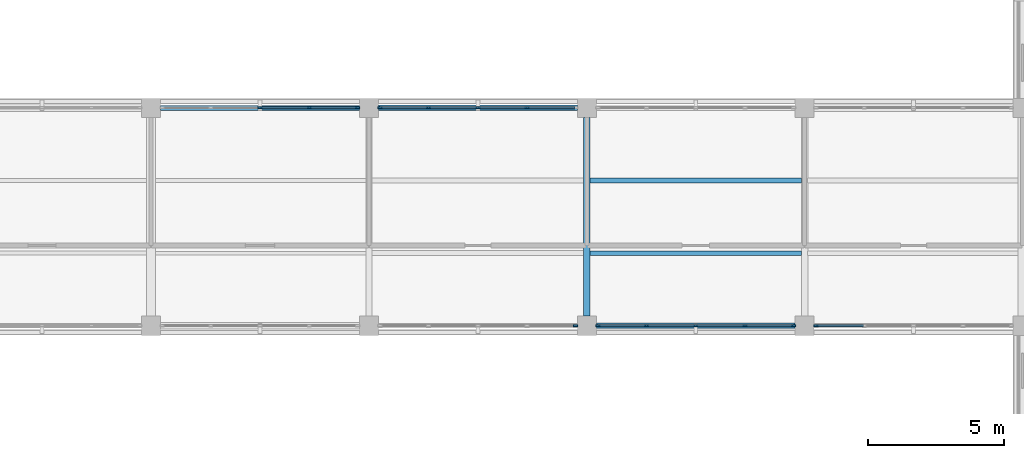
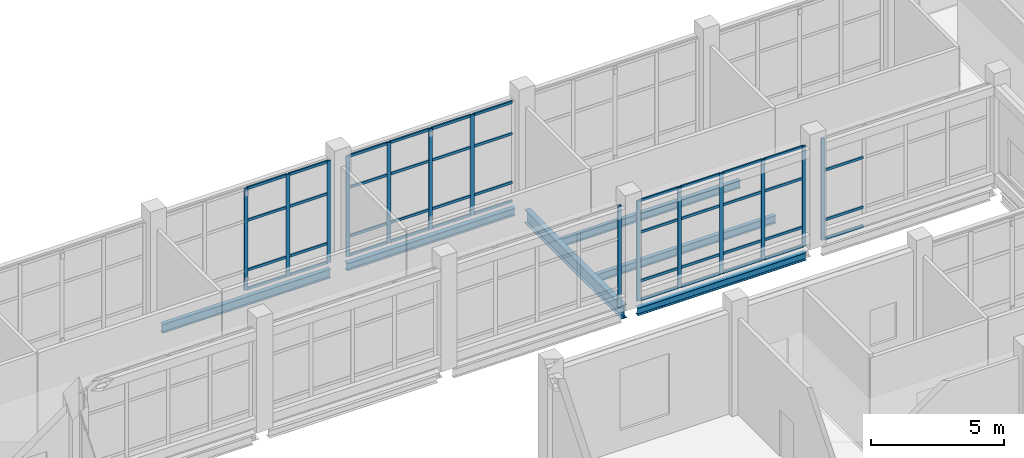
# One storey, part 38 of 105: 57 members, 6 beams, 5 elements without a shape of their own.
"""IFC4 building model written with IfcOpenShell, lengths in metres."""

from ifc_helpers import new_model, si_unit, derived_unit, direction, frame, origin, origin_2d, place, context, subcontext, project, spatial, rectangle, i_section, extrude, material, layer, layer_set, material_profile, profile_set, type_object, element, aggregate, save


model = new_model("IFC4")

# Units and contexts
model_context = context("Model", 3, precision=1e-05, world=origin(), true_north=direction((0.0, 1.0)))
body_context = subcontext(model_context, "Body", "Model", "MODEL_VIEW")
ifc_project = project(units=[si_unit("LENGTHUNIT", "METRE"), si_unit("AREAUNIT", "SQUARE_METRE"), si_unit("VOLUMEUNIT", "CUBIC_METRE"), si_unit("PLANEANGLEUNIT", "RADIAN"), si_unit("MASSUNIT", "GRAM", prefix="KILO"), derived_unit("THERMALTRANSMITTANCEUNIT", [(si_unit("MASSUNIT", "GRAM", prefix="KILO"), 1), (si_unit("TIMEUNIT", "SECOND"), -3), (si_unit("THERMODYNAMICTEMPERATUREUNIT", "KELVIN"), -1)])], contexts=[model_context])

# Site, building, storey
site_placement = place(None, origin())
site = spatial("IfcSite", under=ifc_project, at=site_placement, CompositionType="ELEMENT")
building_placement = place(site_placement, origin())
building = spatial("IfcBuilding", under=site, at=building_placement, Name="Veyamyaing Civic Hall", CompositionType="ELEMENT")
storey_placement = place(building_placement, origin())
storey = spatial("IfcBuildingStorey", under=building, at=storey_placement, Name="L00", CompositionType="ELEMENT", Elevation=0.0)

# Beams
ifc_material_1 = material(Name="Steel ASTM A992", Category="steel")
ifc_material_profile_1 = material_profile(ifc_material_1, i_section(OverallWidth=0.22998046875, OverallDepth=0.616943359375, WebThickness=0.01318359375, FlangeThickness=0.022216796875, FilletRadius=0.012939453125, at=origin_2d()), Name="W610X140")
ifc_profile_set_1 = profile_set([ifc_material_profile_1], Name="Steel ASTM A992")
beam_type_1 = type_object("IfcBeamType", Name="B-05", PredefinedType="BEAM", material=ifc_profile_set_1)
beam_1_placement = place(storey_placement, frame((144.0, 48.35009765625, -0.573486328125), z_axis=(0.0, 1.0, 0.0), x_axis=(-1.0, 0.0, 0.0)))
element("IfcBeam", 1, at=beam_1_placement, inside=storey, type_object=beam_type_1, Name="Girder B-05 L00 Grid 19 G-H", PredefinedType="BEAM", context=body_context, shape_type="SweptSolid", body=[
    extrude(i_section(OverallWidth=0.22998046875, OverallDepth=0.616943359375, WebThickness=0.01318359375, FlangeThickness=0.022216796875, FilletRadius=0.012939453125, at=origin_2d()), origin(), (0.0, 0.0, 1.0), 7.2998046875),
])
ifc_material_profile_2 = material_profile(ifc_material_1, i_section(OverallWidth=0.179931640625, OverallDepth=0.4130859375, WebThickness=0.009765625, FlangeThickness=0.01611328125, FilletRadius=0.010009765625, at=origin_2d()), Name="W410X74")
ifc_profile_set_2 = profile_set([ifc_material_profile_2], Name="Steel ASTM A992")
beam_type_2 = type_object("IfcBeamType", Name="B-10", PredefinedType="SPANDREL", material=ifc_profile_set_2)
beam_2_placement = place(storey_placement, frame((128.35009765625, 56.0, -0.471435546875), z_axis=(1.0, 0.0, 0.0), x_axis=(0.0, 1.0, 0.0)))
element("IfcBeam", 2, at=beam_2_placement, inside=storey, type_object=beam_type_2, Name="Girder B-10 L00 Grid H 17-18", PredefinedType="SPANDREL", context=body_context, shape_type="SweptSolid", body=[
    extrude(i_section(OverallWidth=0.179931640625, OverallDepth=0.4130859375, WebThickness=0.009765625, FlangeThickness=0.01611328125, FilletRadius=0.010009765625, at=origin_2d()), origin(), (0.0, 0.0, 1.0), 7.2998046875),
])
ifc_material_profile_3 = material_profile(ifc_material_1, i_section(OverallWidth=0.2041015625, OverallDepth=0.35009765625, WebThickness=0.0078125, FlangeThickness=0.01513671875, FilletRadius=0.010009765625, at=origin_2d()), Name="W360X72")
ifc_profile_set_3 = profile_set([ifc_material_profile_3], Name="Steel ASTM A992")
beam_type_3 = type_object("IfcBeamType", Name="B-11", PredefinedType="SPANDREL", material=ifc_profile_set_3)
for number, where, z_axis, x_axis, name in (
    (3, (144.35009765625, 48.0, -0.43994140625), (1.0, 0.0, 0.0), (0.0, 1.0, 0.0), "Girder B-11 L00 Grid G 19-20"),
    (4, (136.35009765625, 56.0, -0.43994140625), (1.0, 0.0, 0.0), (0.0, 1.0, 0.0), "Girder B-11 L00 Grid H 18-19"),
):
    element("IfcBeam", number, at=place(storey_placement, frame(where, z_axis=z_axis, x_axis=x_axis)), inside=storey, type_object=beam_type_3, Name=name, PredefinedType="SPANDREL", context=body_context, shape_type="SweptSolid", body=[
        extrude(i_section(OverallWidth=0.2041015625, OverallDepth=0.35009765625, WebThickness=0.0078125, FlangeThickness=0.01513671875, FilletRadius=0.010009765625, at=origin_2d()), origin(), (0.0, 0.0, 1.0), 7.2998046875),
    ])

# Curtain wall, members
ifc_material_2 = material(Name="Anodised aluminium 6063-T6", Category="aluminium")
ifc_layer = layer(ifc_material_2, 0.159912109375, Name="Anodised aluminium 6063-T6")
ifc_layer_set = layer_set([ifc_layer], Name="Anodised aluminium 6063-T6")
curtain_wall_type = type_object("IfcCurtainWallType", Name="CW-01", PredefinedType="NOTDEFINED", material=ifc_layer_set)
curtain_wall_1_placement = place(storey_placement, origin())
curtain_wall_1 = element("IfcCurtainWall", 5, at=curtain_wall_1_placement, inside=storey, type_object=curtain_wall_type, Name="Unitized curtain wall CW-01 L00 N 17.7", PredefinedType="NOTDEFINED")
ifc_material_profile_4 = material_profile(ifc_material_2, rectangle(XDim=0.06494140625, YDim=0.159912109375, at=origin_2d()), Name="ALU-MUL-65X160")
ifc_profile_set_4 = profile_set([ifc_material_profile_4], Name="Anodised aluminium 6063-T6")
member_type_1 = type_object("IfcMemberType", Name="CWM-01", PredefinedType="MULLION", material=ifc_profile_set_4)
member_1_placement = place(storey_placement, frame((132.0, 56.0, 0.0), z_axis=(0.0, 0.0, 1.0), x_axis=(0.0, 1.0, 0.0)))
member_1 = element("IfcMember", 6, at=member_1_placement, type_object=member_type_1, Name="CW-01 mullion 3", PredefinedType="MULLION", context=body_context, shape_type="SweptSolid", body=[
    extrude(rectangle(XDim=0.06494140625, YDim=0.159912109375, at=origin_2d()), origin(), (0.0, 0.0, 1.0), 4.677001953125),
])
member_2_placement = place(storey_placement, frame((133.81005859375, 56.0, 0.0), z_axis=(0.0, 0.0, 1.0), x_axis=(0.0, 1.0, 0.0)))
member_2 = element("IfcMember", 7, at=member_2_placement, type_object=member_type_1, Name="CW-01 mullion 4", PredefinedType="MULLION", context=body_context, shape_type="SweptSolid", body=[
    extrude(rectangle(XDim=0.06494140625, YDim=0.159912109375, at=origin_2d()), origin(), (0.0, 0.0, 1.0), 4.677001953125),
])
member_3_placement = place(storey_placement, frame((135.58740234375, 56.0, 0.0), z_axis=(0.0, 0.0, 1.0), x_axis=(0.0, 1.0, 0.0)))
member_3 = element("IfcMember", 8, at=member_3_placement, type_object=member_type_1, Name="CW-01 mullion 5", PredefinedType="MULLION", context=body_context, shape_type="SweptSolid", body=[
    extrude(rectangle(XDim=0.06494140625, YDim=0.159912109375, at=origin_2d()), origin(), (0.0, 0.0, 1.0), 4.677001953125),
])

# Curtain wall, member
curtain_wall_2_placement = place(storey_placement, origin())
curtain_wall_2 = element("IfcCurtainWall", 9, at=curtain_wall_2_placement, inside=storey, type_object=curtain_wall_type, Name="Unitized curtain wall CW-01 L00 S 18.7", PredefinedType="NOTDEFINED")
member_4_placement = place(storey_placement, frame((143.58740234375, 48.0, 0.0), z_axis=(0.0, 0.0, 1.0), x_axis=(0.0, 1.0, 0.0)))
member_4 = element("IfcMember", 10, at=member_4_placement, type_object=member_type_1, Name="CW-01 mullion 5", PredefinedType="MULLION", context=body_context, shape_type="SweptSolid", body=[
    extrude(rectangle(XDim=0.06494140625, YDim=0.159912109375, at=origin_2d()), origin(), (0.0, 0.0, 1.0), 4.677001953125),
])
aggregate(curtain_wall_2, [member_4])

# Curtain wall, members
curtain_wall_3_placement = place(storey_placement, origin())
curtain_wall_3 = element("IfcCurtainWall", 11, at=curtain_wall_3_placement, inside=storey, type_object=curtain_wall_type, Name="Unitized curtain wall CW-01 L00 N 18.7", PredefinedType="NOTDEFINED")
member_5_placement = place(storey_placement, frame((136.41259765625, 56.0, 0.0), z_axis=(0.0, 0.0, 1.0), x_axis=(0.0, 1.0, 0.0)))
member_5 = element("IfcMember", 12, at=member_5_placement, type_object=member_type_1, Name="CW-01 mullion 1", PredefinedType="MULLION", context=body_context, shape_type="SweptSolid", body=[
    extrude(rectangle(XDim=0.06494140625, YDim=0.159912109375, at=origin_2d()), origin(), (0.0, 0.0, 1.0), 4.610107421875),
])
member_6_placement = place(storey_placement, frame((138.18994140625, 56.0, 0.0), z_axis=(0.0, 0.0, 1.0), x_axis=(0.0, 1.0, 0.0)))
member_6 = element("IfcMember", 13, at=member_6_placement, type_object=member_type_1, Name="CW-01 mullion 2", PredefinedType="MULLION", context=body_context, shape_type="SweptSolid", body=[
    extrude(rectangle(XDim=0.06494140625, YDim=0.159912109375, at=origin_2d()), origin(), (0.0, 0.0, 1.0), 4.610107421875),
])
member_7_placement = place(storey_placement, frame((140.0, 56.0, 0.0), z_axis=(0.0, 0.0, 1.0), x_axis=(0.0, 1.0, 0.0)))
member_7 = element("IfcMember", 14, at=member_7_placement, type_object=member_type_1, Name="CW-01 mullion 3", PredefinedType="MULLION", context=body_context, shape_type="SweptSolid", body=[
    extrude(rectangle(XDim=0.06494140625, YDim=0.159912109375, at=origin_2d()), origin(), (0.0, 0.0, 1.0), 4.610107421875),
])
member_8_placement = place(storey_placement, frame((141.81005859375, 56.0, 0.0), z_axis=(0.0, 0.0, 1.0), x_axis=(0.0, 1.0, 0.0)))
member_8 = element("IfcMember", 15, at=member_8_placement, type_object=member_type_1, Name="CW-01 mullion 4", PredefinedType="MULLION", context=body_context, shape_type="SweptSolid", body=[
    extrude(rectangle(XDim=0.06494140625, YDim=0.159912109375, at=origin_2d()), origin(), (0.0, 0.0, 1.0), 4.610107421875),
])

curtain_wall_4_placement = place(storey_placement, origin())
curtain_wall_4 = element("IfcCurtainWall", 16, at=curtain_wall_4_placement, inside=storey, type_object=curtain_wall_type, Name="Unitized curtain wall CW-01 L00 S 19.7", PredefinedType="NOTDEFINED")
member_9_placement = place(storey_placement, frame((144.41259765625, 48.0, 0.0), z_axis=(0.0, 0.0, 1.0), x_axis=(0.0, 1.0, 0.0)))
member_9 = element("IfcMember", 17, at=member_9_placement, type_object=member_type_1, Name="CW-01 mullion 1", PredefinedType="MULLION", context=body_context, shape_type="SweptSolid", body=[
    extrude(rectangle(XDim=0.06494140625, YDim=0.159912109375, at=origin_2d()), origin(), (0.0, 0.0, 1.0), 4.610107421875),
])
member_10_placement = place(storey_placement, frame((146.18994140625, 48.0, 0.0), z_axis=(0.0, 0.0, 1.0), x_axis=(0.0, 1.0, 0.0)))
member_10 = element("IfcMember", 18, at=member_10_placement, type_object=member_type_1, Name="CW-01 mullion 2", PredefinedType="MULLION", context=body_context, shape_type="SweptSolid", body=[
    extrude(rectangle(XDim=0.06494140625, YDim=0.159912109375, at=origin_2d()), origin(), (0.0, 0.0, 1.0), 4.610107421875),
])
member_11_placement = place(storey_placement, frame((148.0, 48.0, 0.0), z_axis=(0.0, 0.0, 1.0), x_axis=(0.0, 1.0, 0.0)))
member_11 = element("IfcMember", 19, at=member_11_placement, type_object=member_type_1, Name="CW-01 mullion 3", PredefinedType="MULLION", context=body_context, shape_type="SweptSolid", body=[
    extrude(rectangle(XDim=0.06494140625, YDim=0.159912109375, at=origin_2d()), origin(), (0.0, 0.0, 1.0), 4.610107421875),
])
member_12_placement = place(storey_placement, frame((149.81005859375, 48.0, 0.0), z_axis=(0.0, 0.0, 1.0), x_axis=(0.0, 1.0, 0.0)))
member_12 = element("IfcMember", 20, at=member_12_placement, type_object=member_type_1, Name="CW-01 mullion 4", PredefinedType="MULLION", context=body_context, shape_type="SweptSolid", body=[
    extrude(rectangle(XDim=0.06494140625, YDim=0.159912109375, at=origin_2d()), origin(), (0.0, 0.0, 1.0), 4.610107421875),
])
member_13_placement = place(storey_placement, frame((151.58740234375, 48.0, 0.0), z_axis=(0.0, 0.0, 1.0), x_axis=(0.0, 1.0, 0.0)))
member_13 = element("IfcMember", 21, at=member_13_placement, type_object=member_type_1, Name="CW-01 mullion 5", PredefinedType="MULLION", context=body_context, shape_type="SweptSolid", body=[
    extrude(rectangle(XDim=0.06494140625, YDim=0.159912109375, at=origin_2d()), origin(), (0.0, 0.0, 1.0), 4.610107421875),
])

# Curtain wall, member
curtain_wall_5_placement = place(storey_placement, origin())
curtain_wall_5 = element("IfcCurtainWall", 22, at=curtain_wall_5_placement, inside=storey, type_object=curtain_wall_type, Name="Unitized curtain wall CW-01 L00 S 20.7", PredefinedType="NOTDEFINED")
member_14_placement = place(storey_placement, frame((152.41259765625, 48.0, 0.0), z_axis=(0.0, 0.0, 1.0), x_axis=(0.0, 1.0, 0.0)))
member_14 = element("IfcMember", 23, at=member_14_placement, type_object=member_type_1, Name="CW-01 mullion 1", PredefinedType="MULLION", context=body_context, shape_type="SweptSolid", body=[
    extrude(rectangle(XDim=0.06494140625, YDim=0.159912109375, at=origin_2d()), origin(), (0.0, 0.0, 1.0), 4.674072265625),
])

# Member
ifc_material_profile_5 = material_profile(ifc_material_2, rectangle(XDim=0.06494140625, YDim=0.1201171875, at=origin_2d()), Name="ALU-TRN-65X120")
ifc_profile_set_5 = profile_set([ifc_material_profile_5], Name="Anodised aluminium 6063-T6")
member_type_2 = type_object("IfcMemberType", Name="CWT-01", PredefinedType="USERDEFINED", material=ifc_profile_set_5)
member_15_placement = place(storey_placement, frame((132.032470703125, 56.0, 0.032470703125), z_axis=(1.0, 0.0, 0.0), x_axis=(0.0, 1.0, 0.0)))
member_15 = element("IfcMember", 24, at=member_15_placement, type_object=member_type_2, Name="CW-01 transom 3.1", ObjectType="TRANSOM", PredefinedType="USERDEFINED", context=body_context, shape_type="SweptSolid", body=[
    extrude(rectangle(XDim=0.06494140625, YDim=0.1201171875, at=origin_2d()), origin(), (0.0, 0.0, 1.0), 1.7451171875),
])

member_16_placement = place(storey_placement, frame((132.032470703125, 56.0, 0.89990234375), z_axis=(1.0, 0.0, 0.0), x_axis=(0.0, 1.0, 0.0)))
member_16 = element("IfcMember", 25, at=member_16_placement, type_object=member_type_2, Name="CW-01 transom 3.2", ObjectType="TRANSOM", PredefinedType="USERDEFINED", context=body_context, shape_type="SweptSolid", body=[
    extrude(rectangle(XDim=0.06494140625, YDim=0.1201171875, at=origin_2d()), origin(), (0.0, 0.0, 1.0), 1.7451171875),
])

member_17_placement = place(storey_placement, frame((132.032470703125, 56.0, 3.180419921875), z_axis=(1.0, 0.0, 0.0), x_axis=(0.0, 1.0, 0.0)))
member_17 = element("IfcMember", 26, at=member_17_placement, type_object=member_type_2, Name="CW-01 transom 3.3", ObjectType="TRANSOM", PredefinedType="USERDEFINED", context=body_context, shape_type="SweptSolid", body=[
    extrude(rectangle(XDim=0.06494140625, YDim=0.1201171875, at=origin_2d()), origin(), (0.0, 0.0, 1.0), 1.7451171875),
])

member_18_placement = place(storey_placement, frame((132.032470703125, 56.0, 4.64453125), z_axis=(1.0, 0.0, 0.0), x_axis=(0.0, 1.0, 0.0)))
member_18 = element("IfcMember", 27, at=member_18_placement, type_object=member_type_2, Name="CW-01 transom 3.4", ObjectType="TRANSOM", PredefinedType="USERDEFINED", context=body_context, shape_type="SweptSolid", body=[
    extrude(rectangle(XDim=0.06494140625, YDim=0.1201171875, at=origin_2d()), origin(), (0.0, 0.0, 1.0), 1.7451171875),
])

member_19_placement = place(storey_placement, frame((133.842529296875, 56.0, 0.032470703125), z_axis=(1.0, 0.0, 0.0), x_axis=(0.0, 1.0, 0.0)))
member_19 = element("IfcMember", 28, at=member_19_placement, type_object=member_type_2, Name="CW-01 transom 4.1", ObjectType="TRANSOM", PredefinedType="USERDEFINED", context=body_context, shape_type="SweptSolid", body=[
    extrude(rectangle(XDim=0.06494140625, YDim=0.1201171875, at=origin_2d()), origin(), (0.0, 0.0, 1.0), 1.71240234375),
])

member_20_placement = place(storey_placement, frame((133.842529296875, 56.0, 0.89990234375), z_axis=(1.0, 0.0, 0.0), x_axis=(0.0, 1.0, 0.0)))
member_20 = element("IfcMember", 29, at=member_20_placement, type_object=member_type_2, Name="CW-01 transom 4.2", ObjectType="TRANSOM", PredefinedType="USERDEFINED", context=body_context, shape_type="SweptSolid", body=[
    extrude(rectangle(XDim=0.06494140625, YDim=0.1201171875, at=origin_2d()), origin(), (0.0, 0.0, 1.0), 1.71240234375),
])

member_21_placement = place(storey_placement, frame((133.842529296875, 56.0, 3.180419921875), z_axis=(1.0, 0.0, 0.0), x_axis=(0.0, 1.0, 0.0)))
member_21 = element("IfcMember", 30, at=member_21_placement, type_object=member_type_2, Name="CW-01 transom 4.3", ObjectType="TRANSOM", PredefinedType="USERDEFINED", context=body_context, shape_type="SweptSolid", body=[
    extrude(rectangle(XDim=0.06494140625, YDim=0.1201171875, at=origin_2d()), origin(), (0.0, 0.0, 1.0), 1.71240234375),
])

member_22_placement = place(storey_placement, frame((133.842529296875, 56.0, 4.64453125), z_axis=(1.0, 0.0, 0.0), x_axis=(0.0, 1.0, 0.0)))
member_22 = element("IfcMember", 31, at=member_22_placement, type_object=member_type_2, Name="CW-01 transom 4.4", ObjectType="TRANSOM", PredefinedType="USERDEFINED", context=body_context, shape_type="SweptSolid", body=[
    extrude(rectangle(XDim=0.06494140625, YDim=0.1201171875, at=origin_2d()), origin(), (0.0, 0.0, 1.0), 1.71240234375),
])

aggregate(curtain_wall_1, [member_1, member_2, member_3, member_15, member_16, member_17, member_18, member_19, member_20, member_21, member_22])

member_23_placement = place(storey_placement, frame((136.445068359375, 56.0, 0.032470703125), z_axis=(1.0, 0.0, 0.0), x_axis=(0.0, 1.0, 0.0)))
member_23 = element("IfcMember", 32, at=member_23_placement, type_object=member_type_2, Name="CW-01 transom 1.1", ObjectType="TRANSOM", PredefinedType="USERDEFINED", context=body_context, shape_type="SweptSolid", body=[
    extrude(rectangle(XDim=0.06494140625, YDim=0.1201171875, at=origin_2d()), origin(), (0.0, 0.0, 1.0), 1.71240234375),
])

member_24_placement = place(storey_placement, frame((136.445068359375, 56.0, 0.89990234375), z_axis=(1.0, 0.0, 0.0), x_axis=(0.0, 1.0, 0.0)))
member_24 = element("IfcMember", 33, at=member_24_placement, type_object=member_type_2, Name="CW-01 transom 1.2", ObjectType="TRANSOM", PredefinedType="USERDEFINED", context=body_context, shape_type="SweptSolid", body=[
    extrude(rectangle(XDim=0.06494140625, YDim=0.1201171875, at=origin_2d()), origin(), (0.0, 0.0, 1.0), 1.71240234375),
])

member_25_placement = place(storey_placement, frame((136.445068359375, 56.0, 3.134765625), z_axis=(1.0, 0.0, 0.0), x_axis=(0.0, 1.0, 0.0)))
member_25 = element("IfcMember", 34, at=member_25_placement, type_object=member_type_2, Name="CW-01 transom 1.3", ObjectType="TRANSOM", PredefinedType="USERDEFINED", context=body_context, shape_type="SweptSolid", body=[
    extrude(rectangle(XDim=0.06494140625, YDim=0.1201171875, at=origin_2d()), origin(), (0.0, 0.0, 1.0), 1.71240234375),
])

member_26_placement = place(storey_placement, frame((136.445068359375, 56.0, 4.577392578125), z_axis=(1.0, 0.0, 0.0), x_axis=(0.0, 1.0, 0.0)))
member_26 = element("IfcMember", 35, at=member_26_placement, type_object=member_type_2, Name="CW-01 transom 1.4", ObjectType="TRANSOM", PredefinedType="USERDEFINED", context=body_context, shape_type="SweptSolid", body=[
    extrude(rectangle(XDim=0.06494140625, YDim=0.1201171875, at=origin_2d()), origin(), (0.0, 0.0, 1.0), 1.71240234375),
])

member_27_placement = place(storey_placement, frame((138.222412109375, 56.0, 0.032470703125), z_axis=(1.0, 0.0, 0.0), x_axis=(0.0, 1.0, 0.0)))
member_27 = element("IfcMember", 36, at=member_27_placement, type_object=member_type_2, Name="CW-01 transom 2.1", ObjectType="TRANSOM", PredefinedType="USERDEFINED", context=body_context, shape_type="SweptSolid", body=[
    extrude(rectangle(XDim=0.06494140625, YDim=0.1201171875, at=origin_2d()), origin(), (0.0, 0.0, 1.0), 1.7451171875),
])

member_28_placement = place(storey_placement, frame((138.222412109375, 56.0, 0.89990234375), z_axis=(1.0, 0.0, 0.0), x_axis=(0.0, 1.0, 0.0)))
member_28 = element("IfcMember", 37, at=member_28_placement, type_object=member_type_2, Name="CW-01 transom 2.2", ObjectType="TRANSOM", PredefinedType="USERDEFINED", context=body_context, shape_type="SweptSolid", body=[
    extrude(rectangle(XDim=0.06494140625, YDim=0.1201171875, at=origin_2d()), origin(), (0.0, 0.0, 1.0), 1.7451171875),
])

member_29_placement = place(storey_placement, frame((138.222412109375, 56.0, 3.134765625), z_axis=(1.0, 0.0, 0.0), x_axis=(0.0, 1.0, 0.0)))
member_29 = element("IfcMember", 38, at=member_29_placement, type_object=member_type_2, Name="CW-01 transom 2.3", ObjectType="TRANSOM", PredefinedType="USERDEFINED", context=body_context, shape_type="SweptSolid", body=[
    extrude(rectangle(XDim=0.06494140625, YDim=0.1201171875, at=origin_2d()), origin(), (0.0, 0.0, 1.0), 1.7451171875),
])

member_30_placement = place(storey_placement, frame((138.222412109375, 56.0, 4.577392578125), z_axis=(1.0, 0.0, 0.0), x_axis=(0.0, 1.0, 0.0)))
member_30 = element("IfcMember", 39, at=member_30_placement, type_object=member_type_2, Name="CW-01 transom 2.4", ObjectType="TRANSOM", PredefinedType="USERDEFINED", context=body_context, shape_type="SweptSolid", body=[
    extrude(rectangle(XDim=0.06494140625, YDim=0.1201171875, at=origin_2d()), origin(), (0.0, 0.0, 1.0), 1.7451171875),
])

member_31_placement = place(storey_placement, frame((140.032470703125, 56.0, 0.032470703125), z_axis=(1.0, 0.0, 0.0), x_axis=(0.0, 1.0, 0.0)))
member_31 = element("IfcMember", 40, at=member_31_placement, type_object=member_type_2, Name="CW-01 transom 3.1", ObjectType="TRANSOM", PredefinedType="USERDEFINED", context=body_context, shape_type="SweptSolid", body=[
    extrude(rectangle(XDim=0.06494140625, YDim=0.1201171875, at=origin_2d()), origin(), (0.0, 0.0, 1.0), 1.7451171875),
])

member_32_placement = place(storey_placement, frame((140.032470703125, 56.0, 0.89990234375), z_axis=(1.0, 0.0, 0.0), x_axis=(0.0, 1.0, 0.0)))
member_32 = element("IfcMember", 41, at=member_32_placement, type_object=member_type_2, Name="CW-01 transom 3.2", ObjectType="TRANSOM", PredefinedType="USERDEFINED", context=body_context, shape_type="SweptSolid", body=[
    extrude(rectangle(XDim=0.06494140625, YDim=0.1201171875, at=origin_2d()), origin(), (0.0, 0.0, 1.0), 1.7451171875),
])

member_33_placement = place(storey_placement, frame((140.032470703125, 56.0, 3.134765625), z_axis=(1.0, 0.0, 0.0), x_axis=(0.0, 1.0, 0.0)))
member_33 = element("IfcMember", 42, at=member_33_placement, type_object=member_type_2, Name="CW-01 transom 3.3", ObjectType="TRANSOM", PredefinedType="USERDEFINED", context=body_context, shape_type="SweptSolid", body=[
    extrude(rectangle(XDim=0.06494140625, YDim=0.1201171875, at=origin_2d()), origin(), (0.0, 0.0, 1.0), 1.7451171875),
])

member_34_placement = place(storey_placement, frame((140.032470703125, 56.0, 4.577392578125), z_axis=(1.0, 0.0, 0.0), x_axis=(0.0, 1.0, 0.0)))
member_34 = element("IfcMember", 43, at=member_34_placement, type_object=member_type_2, Name="CW-01 transom 3.4", ObjectType="TRANSOM", PredefinedType="USERDEFINED", context=body_context, shape_type="SweptSolid", body=[
    extrude(rectangle(XDim=0.06494140625, YDim=0.1201171875, at=origin_2d()), origin(), (0.0, 0.0, 1.0), 1.7451171875),
])

member_35_placement = place(storey_placement, frame((141.842529296875, 56.0, 0.032470703125), z_axis=(1.0, 0.0, 0.0), x_axis=(0.0, 1.0, 0.0)))
member_35 = element("IfcMember", 44, at=member_35_placement, type_object=member_type_2, Name="CW-01 transom 4.1", ObjectType="TRANSOM", PredefinedType="USERDEFINED", context=body_context, shape_type="SweptSolid", body=[
    extrude(rectangle(XDim=0.06494140625, YDim=0.1201171875, at=origin_2d()), origin(), (0.0, 0.0, 1.0), 1.71240234375),
])

member_36_placement = place(storey_placement, frame((141.842529296875, 56.0, 0.89990234375), z_axis=(1.0, 0.0, 0.0), x_axis=(0.0, 1.0, 0.0)))
member_36 = element("IfcMember", 45, at=member_36_placement, type_object=member_type_2, Name="CW-01 transom 4.2", ObjectType="TRANSOM", PredefinedType="USERDEFINED", context=body_context, shape_type="SweptSolid", body=[
    extrude(rectangle(XDim=0.06494140625, YDim=0.1201171875, at=origin_2d()), origin(), (0.0, 0.0, 1.0), 1.71240234375),
])

member_37_placement = place(storey_placement, frame((141.842529296875, 56.0, 3.134765625), z_axis=(1.0, 0.0, 0.0), x_axis=(0.0, 1.0, 0.0)))
member_37 = element("IfcMember", 46, at=member_37_placement, type_object=member_type_2, Name="CW-01 transom 4.3", ObjectType="TRANSOM", PredefinedType="USERDEFINED", context=body_context, shape_type="SweptSolid", body=[
    extrude(rectangle(XDim=0.06494140625, YDim=0.1201171875, at=origin_2d()), origin(), (0.0, 0.0, 1.0), 1.71240234375),
])

member_38_placement = place(storey_placement, frame((141.842529296875, 56.0, 4.577392578125), z_axis=(1.0, 0.0, 0.0), x_axis=(0.0, 1.0, 0.0)))
member_38 = element("IfcMember", 47, at=member_38_placement, type_object=member_type_2, Name="CW-01 transom 4.4", ObjectType="TRANSOM", PredefinedType="USERDEFINED", context=body_context, shape_type="SweptSolid", body=[
    extrude(rectangle(XDim=0.06494140625, YDim=0.1201171875, at=origin_2d()), origin(), (0.0, 0.0, 1.0), 1.71240234375),
])

aggregate(curtain_wall_3, [member_5, member_6, member_7, member_8, member_23, member_24, member_25, member_26, member_27, member_28, member_29, member_30, member_31, member_32, member_33, member_34, member_35, member_36, member_37, member_38])

member_39_placement = place(storey_placement, frame((144.445068359375, 48.0, 0.032470703125), z_axis=(1.0, 0.0, 0.0), x_axis=(0.0, 1.0, 0.0)))
member_39 = element("IfcMember", 48, at=member_39_placement, type_object=member_type_2, Name="CW-01 transom 1.1", ObjectType="TRANSOM", PredefinedType="USERDEFINED", context=body_context, shape_type="SweptSolid", body=[
    extrude(rectangle(XDim=0.06494140625, YDim=0.1201171875, at=origin_2d()), origin(), (0.0, 0.0, 1.0), 1.71240234375),
])

member_40_placement = place(storey_placement, frame((144.445068359375, 48.0, 0.89990234375), z_axis=(1.0, 0.0, 0.0), x_axis=(0.0, 1.0, 0.0)))
member_40 = element("IfcMember", 49, at=member_40_placement, type_object=member_type_2, Name="CW-01 transom 1.2", ObjectType="TRANSOM", PredefinedType="USERDEFINED", context=body_context, shape_type="SweptSolid", body=[
    extrude(rectangle(XDim=0.06494140625, YDim=0.1201171875, at=origin_2d()), origin(), (0.0, 0.0, 1.0), 1.71240234375),
])

member_41_placement = place(storey_placement, frame((144.445068359375, 48.0, 3.134765625), z_axis=(1.0, 0.0, 0.0), x_axis=(0.0, 1.0, 0.0)))
member_41 = element("IfcMember", 50, at=member_41_placement, type_object=member_type_2, Name="CW-01 transom 1.3", ObjectType="TRANSOM", PredefinedType="USERDEFINED", context=body_context, shape_type="SweptSolid", body=[
    extrude(rectangle(XDim=0.06494140625, YDim=0.1201171875, at=origin_2d()), origin(), (0.0, 0.0, 1.0), 1.71240234375),
])

member_42_placement = place(storey_placement, frame((144.445068359375, 48.0, 4.577392578125), z_axis=(1.0, 0.0, 0.0), x_axis=(0.0, 1.0, 0.0)))
member_42 = element("IfcMember", 51, at=member_42_placement, type_object=member_type_2, Name="CW-01 transom 1.4", ObjectType="TRANSOM", PredefinedType="USERDEFINED", context=body_context, shape_type="SweptSolid", body=[
    extrude(rectangle(XDim=0.06494140625, YDim=0.1201171875, at=origin_2d()), origin(), (0.0, 0.0, 1.0), 1.71240234375),
])

member_43_placement = place(storey_placement, frame((146.222412109375, 48.0, 0.032470703125), z_axis=(1.0, 0.0, 0.0), x_axis=(0.0, 1.0, 0.0)))
member_43 = element("IfcMember", 52, at=member_43_placement, type_object=member_type_2, Name="CW-01 transom 2.1", ObjectType="TRANSOM", PredefinedType="USERDEFINED", context=body_context, shape_type="SweptSolid", body=[
    extrude(rectangle(XDim=0.06494140625, YDim=0.1201171875, at=origin_2d()), origin(), (0.0, 0.0, 1.0), 1.7451171875),
])

member_44_placement = place(storey_placement, frame((146.222412109375, 48.0, 0.89990234375), z_axis=(1.0, 0.0, 0.0), x_axis=(0.0, 1.0, 0.0)))
member_44 = element("IfcMember", 53, at=member_44_placement, type_object=member_type_2, Name="CW-01 transom 2.2", ObjectType="TRANSOM", PredefinedType="USERDEFINED", context=body_context, shape_type="SweptSolid", body=[
    extrude(rectangle(XDim=0.06494140625, YDim=0.1201171875, at=origin_2d()), origin(), (0.0, 0.0, 1.0), 1.7451171875),
])

member_45_placement = place(storey_placement, frame((146.222412109375, 48.0, 3.134765625), z_axis=(1.0, 0.0, 0.0), x_axis=(0.0, 1.0, 0.0)))
member_45 = element("IfcMember", 54, at=member_45_placement, type_object=member_type_2, Name="CW-01 transom 2.3", ObjectType="TRANSOM", PredefinedType="USERDEFINED", context=body_context, shape_type="SweptSolid", body=[
    extrude(rectangle(XDim=0.06494140625, YDim=0.1201171875, at=origin_2d()), origin(), (0.0, 0.0, 1.0), 1.7451171875),
])

member_46_placement = place(storey_placement, frame((146.222412109375, 48.0, 4.577392578125), z_axis=(1.0, 0.0, 0.0), x_axis=(0.0, 1.0, 0.0)))
member_46 = element("IfcMember", 55, at=member_46_placement, type_object=member_type_2, Name="CW-01 transom 2.4", ObjectType="TRANSOM", PredefinedType="USERDEFINED", context=body_context, shape_type="SweptSolid", body=[
    extrude(rectangle(XDim=0.06494140625, YDim=0.1201171875, at=origin_2d()), origin(), (0.0, 0.0, 1.0), 1.7451171875),
])

member_47_placement = place(storey_placement, frame((148.032470703125, 48.0, 0.032470703125), z_axis=(1.0, 0.0, 0.0), x_axis=(0.0, 1.0, 0.0)))
member_47 = element("IfcMember", 56, at=member_47_placement, type_object=member_type_2, Name="CW-01 transom 3.1", ObjectType="TRANSOM", PredefinedType="USERDEFINED", context=body_context, shape_type="SweptSolid", body=[
    extrude(rectangle(XDim=0.06494140625, YDim=0.1201171875, at=origin_2d()), origin(), (0.0, 0.0, 1.0), 1.7451171875),
])

member_48_placement = place(storey_placement, frame((148.032470703125, 48.0, 0.89990234375), z_axis=(1.0, 0.0, 0.0), x_axis=(0.0, 1.0, 0.0)))
member_48 = element("IfcMember", 57, at=member_48_placement, type_object=member_type_2, Name="CW-01 transom 3.2", ObjectType="TRANSOM", PredefinedType="USERDEFINED", context=body_context, shape_type="SweptSolid", body=[
    extrude(rectangle(XDim=0.06494140625, YDim=0.1201171875, at=origin_2d()), origin(), (0.0, 0.0, 1.0), 1.7451171875),
])

member_49_placement = place(storey_placement, frame((148.032470703125, 48.0, 3.134765625), z_axis=(1.0, 0.0, 0.0), x_axis=(0.0, 1.0, 0.0)))
member_49 = element("IfcMember", 58, at=member_49_placement, type_object=member_type_2, Name="CW-01 transom 3.3", ObjectType="TRANSOM", PredefinedType="USERDEFINED", context=body_context, shape_type="SweptSolid", body=[
    extrude(rectangle(XDim=0.06494140625, YDim=0.1201171875, at=origin_2d()), origin(), (0.0, 0.0, 1.0), 1.7451171875),
])

member_50_placement = place(storey_placement, frame((148.032470703125, 48.0, 4.577392578125), z_axis=(1.0, 0.0, 0.0), x_axis=(0.0, 1.0, 0.0)))
member_50 = element("IfcMember", 59, at=member_50_placement, type_object=member_type_2, Name="CW-01 transom 3.4", ObjectType="TRANSOM", PredefinedType="USERDEFINED", context=body_context, shape_type="SweptSolid", body=[
    extrude(rectangle(XDim=0.06494140625, YDim=0.1201171875, at=origin_2d()), origin(), (0.0, 0.0, 1.0), 1.7451171875),
])

member_51_placement = place(storey_placement, frame((149.842529296875, 48.0, 0.032470703125), z_axis=(1.0, 0.0, 0.0), x_axis=(0.0, 1.0, 0.0)))
member_51 = element("IfcMember", 60, at=member_51_placement, type_object=member_type_2, Name="CW-01 transom 4.1", ObjectType="TRANSOM", PredefinedType="USERDEFINED", context=body_context, shape_type="SweptSolid", body=[
    extrude(rectangle(XDim=0.06494140625, YDim=0.1201171875, at=origin_2d()), origin(), (0.0, 0.0, 1.0), 1.71240234375),
])

member_52_placement = place(storey_placement, frame((149.842529296875, 48.0, 0.89990234375), z_axis=(1.0, 0.0, 0.0), x_axis=(0.0, 1.0, 0.0)))
member_52 = element("IfcMember", 61, at=member_52_placement, type_object=member_type_2, Name="CW-01 transom 4.2", ObjectType="TRANSOM", PredefinedType="USERDEFINED", context=body_context, shape_type="SweptSolid", body=[
    extrude(rectangle(XDim=0.06494140625, YDim=0.1201171875, at=origin_2d()), origin(), (0.0, 0.0, 1.0), 1.71240234375),
])

member_53_placement = place(storey_placement, frame((149.842529296875, 48.0, 3.134765625), z_axis=(1.0, 0.0, 0.0), x_axis=(0.0, 1.0, 0.0)))
member_53 = element("IfcMember", 62, at=member_53_placement, type_object=member_type_2, Name="CW-01 transom 4.3", ObjectType="TRANSOM", PredefinedType="USERDEFINED", context=body_context, shape_type="SweptSolid", body=[
    extrude(rectangle(XDim=0.06494140625, YDim=0.1201171875, at=origin_2d()), origin(), (0.0, 0.0, 1.0), 1.71240234375),
])

member_54_placement = place(storey_placement, frame((149.842529296875, 48.0, 4.577392578125), z_axis=(1.0, 0.0, 0.0), x_axis=(0.0, 1.0, 0.0)))
member_54 = element("IfcMember", 63, at=member_54_placement, type_object=member_type_2, Name="CW-01 transom 4.4", ObjectType="TRANSOM", PredefinedType="USERDEFINED", context=body_context, shape_type="SweptSolid", body=[
    extrude(rectangle(XDim=0.06494140625, YDim=0.1201171875, at=origin_2d()), origin(), (0.0, 0.0, 1.0), 1.71240234375),
])

aggregate(curtain_wall_4, [member_9, member_10, member_11, member_12, member_13, member_39, member_40, member_41, member_42, member_43, member_44, member_45, member_46, member_47, member_48, member_49, member_50, member_51, member_52, member_53, member_54])

member_55_placement = place(storey_placement, frame((152.445068359375, 48.0, 0.032470703125), z_axis=(1.0, 0.0, 0.0), x_axis=(0.0, 1.0, 0.0)))
member_55 = element("IfcMember", 64, at=member_55_placement, type_object=member_type_2, Name="CW-01 transom 1.1", ObjectType="TRANSOM", PredefinedType="USERDEFINED", context=body_context, shape_type="SweptSolid", body=[
    extrude(rectangle(XDim=0.06494140625, YDim=0.1201171875, at=origin_2d()), origin(), (0.0, 0.0, 1.0), 1.71240234375),
])

member_56_placement = place(storey_placement, frame((152.445068359375, 48.0, 0.89990234375), z_axis=(1.0, 0.0, 0.0), x_axis=(0.0, 1.0, 0.0)))
member_56 = element("IfcMember", 65, at=member_56_placement, type_object=member_type_2, Name="CW-01 transom 1.2", ObjectType="TRANSOM", PredefinedType="USERDEFINED", context=body_context, shape_type="SweptSolid", body=[
    extrude(rectangle(XDim=0.06494140625, YDim=0.1201171875, at=origin_2d()), origin(), (0.0, 0.0, 1.0), 1.71240234375),
])

member_57_placement = place(storey_placement, frame((152.445068359375, 48.0, 3.17822265625), z_axis=(1.0, 0.0, 0.0), x_axis=(0.0, 1.0, 0.0)))
member_57 = element("IfcMember", 66, at=member_57_placement, type_object=member_type_2, Name="CW-01 transom 1.3", ObjectType="TRANSOM", PredefinedType="USERDEFINED", context=body_context, shape_type="SweptSolid", body=[
    extrude(rectangle(XDim=0.06494140625, YDim=0.1201171875, at=origin_2d()), origin(), (0.0, 0.0, 1.0), 1.71240234375),
])

aggregate(curtain_wall_5, [member_14, member_55, member_56, member_57])

# Beams
ifc_material_profile_6 = material_profile(ifc_material_1, i_section(OverallWidth=0.172119140625, OverallDepth=0.35791015625, WebThickness=0.0078125, FlangeThickness=0.01318359375, FilletRadius=0.010009765625, at=origin_2d()), Name="W360X57")
ifc_profile_set_6 = profile_set([ifc_material_profile_6], Name="Steel ASTM A992")
beam_type_4 = type_object("IfcBeamType", Name="J-02", PredefinedType="JOIST", material=ifc_profile_set_6)
for number, where, z_axis, x_axis, name in (
    (67, (144.113037109375, 50.666748046875, -0.444091796875), (1.0, 0.0, 0.0), (0.0, 1.0, 0.0), "Composite floor joist J-02 L00 19.7.1"),
    (68, (144.113037109375, 53.333251953125, -0.444091796875), (1.0, 0.0, 0.0), (0.0, 1.0, 0.0), "Composite floor joist J-02 L00 19.7.2"),
):
    element("IfcBeam", number, at=place(storey_placement, frame(where, z_axis=z_axis, x_axis=x_axis)), inside=storey, type_object=beam_type_4, Name=name, PredefinedType="JOIST", context=body_context, shape_type="SweptSolid", body=[
        extrude(i_section(OverallWidth=0.172119140625, OverallDepth=0.35791015625, WebThickness=0.0078125, FlangeThickness=0.01318359375, FilletRadius=0.010009765625, at=origin_2d()), origin(), (0.0, 0.0, 1.0), 7.77490234375),
    ])

save(model, "model.ifc")
